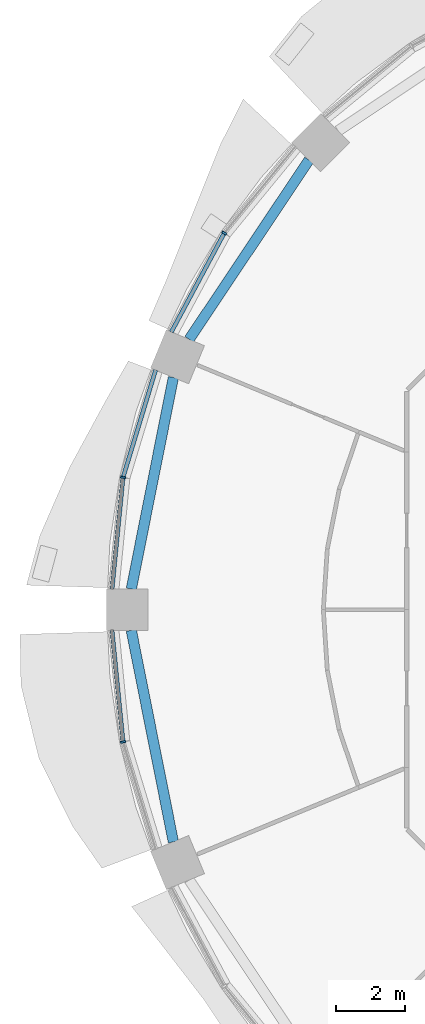
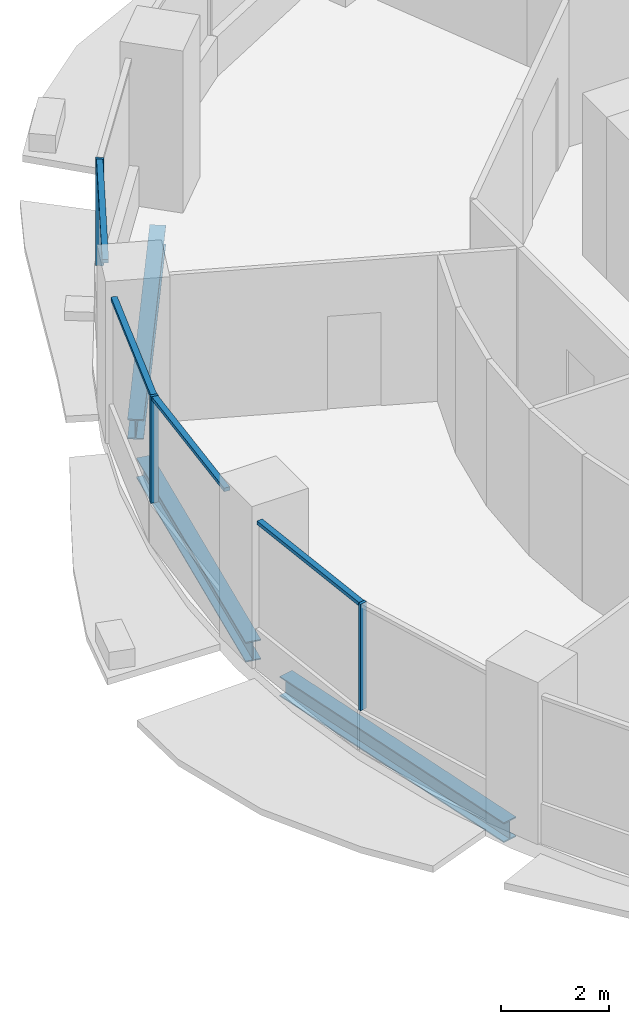
# One storey, part 4 of 15: 7 members, 3 beams, 3 elements without a shape of their own.
"""IFC4 building model written with IfcOpenShell, lengths in metres."""

from ifc_helpers import new_model, si_unit, direction, frame, origin, origin_2d, place, context, subcontext, project, spatial, rectangle, i_section, extrude, material, material_profile, profile_set, type_object, element, aggregate, save


model = new_model("IFC4")

# Units and contexts
model_context = context("Model", 3, precision=1e-05, world=origin(), true_north=direction((0.0, 1.0)))
body_context = subcontext(model_context, "Body", "Model", "MODEL_VIEW")
ifc_project = project(units=[si_unit("LENGTHUNIT", "METRE"), si_unit("AREAUNIT", "SQUARE_METRE"), si_unit("VOLUMEUNIT", "CUBIC_METRE"), si_unit("PLANEANGLEUNIT", "RADIAN"), si_unit("MASSUNIT", "GRAM", prefix="KILO")], contexts=[model_context])

# Site, building, storey
site_placement = place(None, origin())
site = spatial("IfcSite", under=ifc_project, at=site_placement, CompositionType="ELEMENT")
building_placement = place(site_placement, origin())
building = spatial("IfcBuilding", under=site, at=building_placement, Name="Polderwave Tower", CompositionType="ELEMENT")
storey_placement = place(building_placement, frame((0.0, 0.0, 26.199951171875)))
storey = spatial("IfcBuildingStorey", under=building, at=storey_placement, Name="L06", CompositionType="ELEMENT", Elevation=26.199951171875)

# Curtain wall, member
ifc_material_1 = material(Name="Aluminium 6063-T6 and glass", Category="aluminium")
curtain_wall_type = type_object("IfcCurtainWallType", Name="Growing floor ribbon glazing wall", PredefinedType="NOTDEFINED", material=ifc_material_1)
curtain_wall_1_placement = place(storey_placement, origin())
curtain_wall_1 = element("IfcCurtainWall", 1, at=curtain_wall_1_placement, inside=storey, type_object=curtain_wall_type, Name="CW2 L06 06", PredefinedType="NOTDEFINED")
ifc_material_2 = material(Name="Aluminium 6063-T6", Category="aluminium")
ifc_material_profile_1 = material_profile(ifc_material_2, rectangle(XDim=0.14990234375, YDim=0.06005859375, at=origin_2d()), Name="AL 60x150")
ifc_profile_set_1 = profile_set([ifc_material_profile_1], Name="Aluminium 6063-T6")
member_type_1 = type_object("IfcMemberType", Name="Growing floor ribbon glazing mullion 60x150", PredefinedType="MULLION", material=ifc_profile_set_1)
member_1_placement = place(storey_placement, frame((-16.3798828125, 10.945068359375, 0.900146484375), z_axis=(0.0, 0.0, 1.0), x_axis=(0.831436642637, -0.555619572441, 0.0)))
member_1 = element("IfcMember", 2, at=member_1_placement, type_object=member_type_1, Name="CW2 mullion 1", PredefinedType="MULLION", context=body_context, shape_type="SweptSolid", body=[
    extrude(rectangle(XDim=0.14990234375, YDim=0.06005859375, at=origin_2d()), origin(), (0.0, 0.0, 1.0), 2.39990234375),
])

curtain_wall_2_placement = place(storey_placement, origin())
curtain_wall_2 = element("IfcCurtainWall", 3, at=curtain_wall_2_placement, inside=storey, type_object=curtain_wall_type, Name="CW2 L06 07", PredefinedType="NOTDEFINED")
member_2_placement = place(storey_placement, frame((-19.321044921875, 3.843017578125, 0.900146484375), z_axis=(0.0, 0.0, 1.0), x_axis=(0.980771658139, -0.19515879327, 0.0)))
member_2 = element("IfcMember", 4, at=member_2_placement, type_object=member_type_1, Name="CW2 mullion 1", PredefinedType="MULLION", context=body_context, shape_type="SweptSolid", body=[
    extrude(rectangle(XDim=0.14990234375, YDim=0.06005859375, at=origin_2d()), origin(), (0.0, 0.0, 1.0), 2.39990234375),
])

curtain_wall_3_placement = place(storey_placement, origin())
curtain_wall_3 = element("IfcCurtainWall", 5, at=curtain_wall_3_placement, inside=storey, type_object=curtain_wall_type, Name="CW2 L06 08", PredefinedType="NOTDEFINED")
member_3_placement = place(storey_placement, frame((-19.321044921875, -3.843017578125, 0.900146484375), z_axis=(0.0, 0.0, 1.0), x_axis=(0.980771658139, 0.19515879327, 0.0)))
member_3 = element("IfcMember", 6, at=member_3_placement, type_object=member_type_1, Name="CW2 mullion 1", PredefinedType="MULLION", context=body_context, shape_type="SweptSolid", body=[
    extrude(rectangle(XDim=0.14990234375, YDim=0.06005859375, at=origin_2d()), origin(), (0.0, 0.0, 1.0), 2.39990234375),
])

# Member
ifc_material_profile_2 = material_profile(ifc_material_2, rectangle(XDim=0.1201171875, YDim=0.080078125, at=origin_2d()), Name="AL 80x120")
ifc_profile_set_2 = profile_set([ifc_material_profile_2], Name="Aluminium 6063-T6")
member_type_2 = type_object("IfcMemberType", Name="Growing floor ribbon glazing transom 80x120", PredefinedType="USERDEFINED", material=ifc_profile_set_2)
member_4_placement = place(storey_placement, frame((-16.39404296875, 10.91845703125, 3.260009765625), z_axis=(-0.471396538118, -0.88192137056, 0.0), x_axis=(0.88192137056, -0.471396538118, 0.0)))
member_4 = element("IfcMember", 7, at=member_4_placement, type_object=member_type_2, Name="CW2 transom 2", ObjectType="TRANSOM", PredefinedType="USERDEFINED", context=body_context, shape_type="SweptSolid", body=[
    extrude(rectangle(XDim=0.1201171875, YDim=0.080078125, at=origin_2d()), origin(), (0.0, 0.0, 1.0), 3.228759765625),
])

aggregate(curtain_wall_1, [member_1, member_4])

member_5_placement = place(storey_placement, frame((-18.375, 6.9619140625, 3.260009765625), z_axis=(-0.290231901029, -0.956956343636, 0.0), x_axis=(0.956956343636, -0.290231901029, 0.0)))
member_5 = element("IfcMember", 8, at=member_5_placement, type_object=member_type_2, Name="CW2 transom 1", ObjectType="TRANSOM", PredefinedType="USERDEFINED", context=body_context, shape_type="SweptSolid", body=[
    extrude(rectangle(XDim=0.1201171875, YDim=0.080078125, at=origin_2d()), origin(), (0.0, 0.0, 1.0), 3.229248046875),
])

member_6_placement = place(storey_placement, frame((-19.323974609375, 3.81298828125, 3.260009765625), z_axis=(-0.098230820031, -0.995163657896, 0.0), x_axis=(0.995163657896, -0.098230820031, 0.0)))
member_6 = element("IfcMember", 9, at=member_6_placement, type_object=member_type_2, Name="CW2 transom 2", ObjectType="TRANSOM", PredefinedType="USERDEFINED", context=body_context, shape_type="SweptSolid", body=[
    extrude(rectangle(XDim=0.1201171875, YDim=0.080078125, at=origin_2d()), origin(), (0.0, 0.0, 1.0), 3.228515625),
])

aggregate(curtain_wall_2, [member_2, member_5, member_6])

member_7_placement = place(storey_placement, frame((-19.64111328125, -0.60009765625, 3.260009765625), z_axis=(0.098230820031, -0.995163657896, 0.0), x_axis=(0.995163657896, 0.098230820031, 0.0)))
member_7 = element("IfcMember", 10, at=member_7_placement, type_object=member_type_2, Name="CW2 transom 1", ObjectType="TRANSOM", PredefinedType="USERDEFINED", context=body_context, shape_type="SweptSolid", body=[
    extrude(rectangle(XDim=0.1201171875, YDim=0.080078125, at=origin_2d()), origin(), (0.0, 0.0, 1.0), 3.228515625),
])

aggregate(curtain_wall_3, [member_3, member_7])

# Beams
ifc_material_3 = material(Name="Steel S355", Category="steel")
ifc_material_profile_3 = material_profile(ifc_material_3, i_section(OverallWidth=0.300048828125, OverallDepth=0.449951171875, WebThickness=0.013916015625, FlangeThickness=0.02587890625, at=origin_2d()), Name="HE 450 B")
ifc_profile_set_3 = profile_set([ifc_material_profile_3], Name="Steel S355")
beam_type = type_object("IfcBeamType", Name="RING BEAM HE 450 B", PredefinedType="BEAM", material=ifc_profile_set_3)
beam_placement = place(storey_placement, frame((-13.916259765625, 13.06787109375, -0.574951171875), z_axis=(-0.555580751359, -0.831462584076, 0.0), x_axis=(0.831462584076, -0.555580751359, 0.0)))
element("IfcBeam", 11, at=beam_placement, inside=storey, type_object=beam_type, Name="ST-RB-L06-06", PredefinedType="BEAM", context=body_context, shape_type="SweptSolid", body=[
    extrude(i_section(OverallWidth=0.300048828125, OverallDepth=0.449951171875, WebThickness=0.013916015625, FlangeThickness=0.02587890625, at=origin_2d()), origin(), (0.0, 0.0, 1.0), 6.26806640625),
])
for number, where, z_axis, x_axis, name in (
    (12, (-17.85791015625, 6.74755859375, -0.574951171875), (-0.195067338291, -0.98078985187, 0.0), (0.98078985187, -0.195067338291, 0.0), "ST-RB-L06-07"),
    (13, (-19.08056640625, -0.60009765625, -0.574951171875), (0.195067338291, -0.98078985187, 0.0), (0.98078985187, 0.195067338291, 0.0), "ST-RB-L06-08"),
):
    element("IfcBeam", number, at=place(storey_placement, frame(where, z_axis=z_axis, x_axis=x_axis)), inside=storey, type_object=beam_type, Name=name, PredefinedType="BEAM", context=body_context, shape_type="SweptSolid", body=[
        extrude(i_section(OverallWidth=0.300048828125, OverallDepth=0.449951171875, WebThickness=0.013916015625, FlangeThickness=0.02587890625, at=origin_2d()), origin(), (0.0, 0.0, 1.0), 6.267822265625),
    ])

save(model, "model.ifc")
